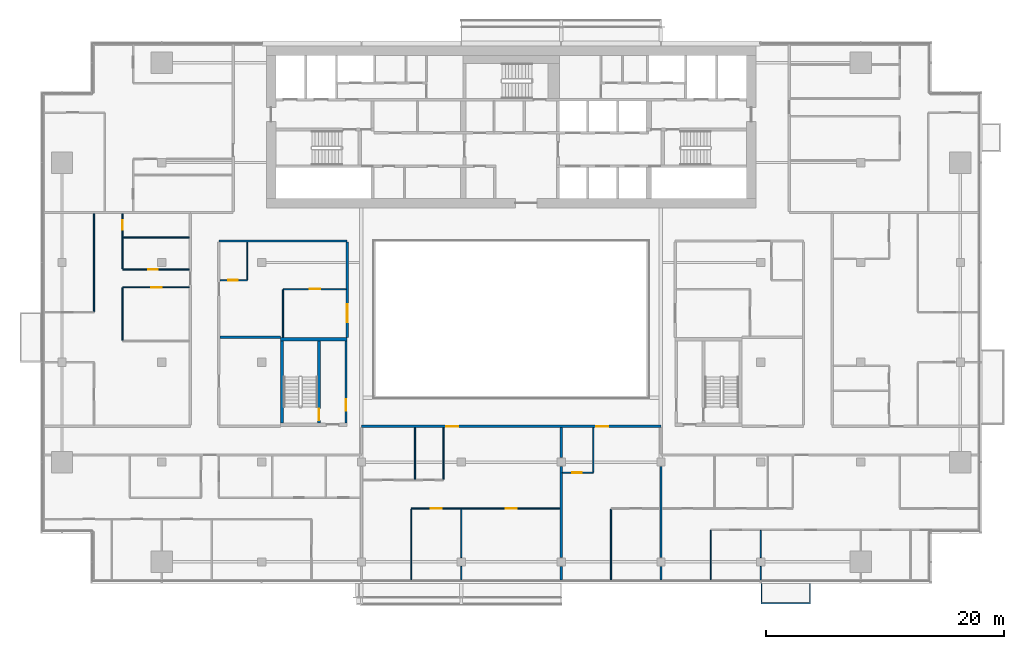
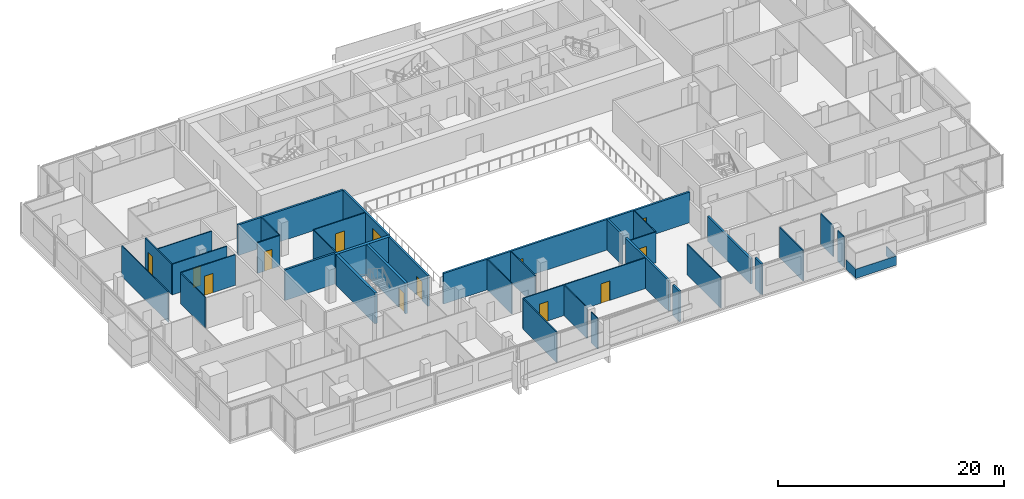
# One storey, part 18 of 27: 36 walls, 12 doors, 1 window, 13 openings.
"""IFC4 building model written with IfcOpenShell, lengths in metres."""

from ifc_helpers import new_model, si_unit, direction, frame, frame_2d, origin, place, context, subcontext, project, spatial, polyline, rectangle, outline, extrude, material, layer, layer_set, type_object, element, fill, save


model = new_model("IFC4")

# Units and contexts
model_context = context("Model", 3, precision=1e-05, world=origin(), true_north=direction((0.0, 1.0)))
body_context = subcontext(model_context, "Body", "Model", "MODEL_VIEW")
ifc_project = project(units=[si_unit("LENGTHUNIT", "METRE"), si_unit("AREAUNIT", "SQUARE_METRE"), si_unit("VOLUMEUNIT", "CUBIC_METRE"), si_unit("PLANEANGLEUNIT", "RADIAN"), si_unit("MASSUNIT", "GRAM", prefix="KILO")], contexts=[model_context])

# Site, building, storey
site_placement = place(None, origin())
site = spatial("IfcSite", under=ifc_project, at=site_placement, CompositionType="ELEMENT")
building_placement = place(site_placement, origin())
building = spatial("IfcBuilding", under=site, at=building_placement, Name="Saffron Gate Tower", CompositionType="ELEMENT")
storey_placement = place(building_placement, frame((0.0, 0.0, 172.64990234375)))
storey = spatial("IfcBuildingStorey", under=building, at=storey_placement, Name="L42", CompositionType="ELEMENT", Elevation=172.64990234375)

# Wall, opening, door
ifc_material_1 = material(Name="Gypsum board partition on steel studs", Category="steel")
ifc_layer_1 = layer(ifc_material_1, 0.199951171875)
ifc_layer_set_1 = layer_set([ifc_layer_1], Name="CW10 Core partition 200")
wall_type_1 = type_object("IfcWallType", Name="CW10 Core partition 200", PredefinedType="PARTITIONING", material=ifc_layer_set_1)
wall_1_placement = place(storey_placement, frame((73.699951171875, 43.5, 0.0), z_axis=(0.0, 0.0, 1.0), x_axis=(0.0, 1.0, 0.0)))
wall_1 = element("IfcWall", 1, at=wall_1_placement, inside=storey, type_object=wall_type_1, Name="Wall CW10-L42-D-4", PredefinedType="PARTITIONING", context=body_context, shape_type="SweptSolid", body=[
    extrude(rectangle(XDim=6.89990234375, YDim=0.199951171875, at=frame_2d((3.449951171875, 0.0))), origin(), (0.0, 0.0, 1.0), 3.320068359375),
])
opening_1_placement = place(wall_1_placement, frame((1.0, 0.0, 0.0)))
opening_1 = element("IfcOpeningElement", 2, at=opening_1_placement, cuts=wall_1, Name="Opening CR-19", PredefinedType="OPENING", context=body_context, shape_type="SweptSolid", body=[
    extrude(rectangle(XDim=1.0, YDim=2.10009765625, at=frame_2d((0.5, 1.050048828125))), frame((0.0, 0.10986328125, 0.0), z_axis=(0.0, -1.0, 0.0), x_axis=(1.0, 0.0, 0.0)), (0.0, 0.0, 1.0), 0.219970703125),
])
ifc_material_2 = material(Name="Steel fire door set", Category="steel")
door_type_1 = type_object("IfcDoorType", Name="CD4 Lobby door 1000x2100 EI 120", OperationType="NOTDEFINED", PredefinedType="DOOR", material=ifc_material_2)
door_1_placement = place(opening_1_placement, origin())
door_1 = element("IfcDoor", 3, at=door_1_placement, inside=storey, type_object=door_type_1, Name="DOOR CR-19", OperationType="SINGLE_SWING_RIGHT", OverallHeight=2.10009765625, OverallWidth=1.0, PredefinedType="DOOR", context=body_context, shape_type="SweptSolid", body=[
    extrude(rectangle(XDim=1.0, YDim=2.10009765625, at=frame_2d((0.5, 1.050048828125))), frame((0.0, 0.02490234375, 0.0), z_axis=(0.0, -1.0, 0.0), x_axis=(1.0, 0.0, 0.0)), (0.0, 0.0, 1.0), 0.050048828125),
])
fill(opening_1, door_1)

# Wall
ifc_material_3 = material(Name="Concrete C60", Category="concrete")
ifc_layer_2 = layer(ifc_material_3, 0.25)
ifc_layer_set_2 = layer_set([ifc_layer_2], Name="CW14 RC core wall 250 C60")
wall_type_2 = type_object("IfcWallType", Name="CW14 RC core wall 250 C60", PredefinedType="SOLIDWALL", material=ifc_layer_set_2)
wall_2_placement = place(storey_placement, frame((68.324951171875, 43.5, 0.0), z_axis=(0.0, 0.0, 1.0), x_axis=(0.0, 1.0, 0.0)))
element("IfcWall", 4, at=wall_2_placement, inside=storey, type_object=wall_type_2, Name="Wall CW14-L42-D-2", PredefinedType="SOLIDWALL", context=body_context, shape_type="SweptSolid", body=[
    extrude(rectangle(XDim=6.89990234375, YDim=0.25, at=frame_2d((3.449951171875, 0.0))), origin(), (0.0, 0.0, 1.0), 3.320068359375),
])

# Wall, opening, door
wall_3_placement = place(storey_placement, frame((71.425048828125, 43.5, 0.0), z_axis=(0.0, 0.0, 1.0), x_axis=(0.0, 1.0, 0.0)))
wall_3 = element("IfcWall", 5, at=wall_3_placement, inside=storey, type_object=wall_type_2, Name="Wall CW14-L42-D-3", PredefinedType="SOLIDWALL", context=body_context, shape_type="SweptSolid", body=[
    extrude(rectangle(XDim=6.89990234375, YDim=0.25, at=frame_2d((3.449951171875, 0.0))), origin(), (0.0, 0.0, 1.0), 3.320068359375),
])
opening_2_placement = place(wall_3_placement, frame((0.199951171875, 0.0, 0.0)))
opening_2 = element("IfcOpeningElement", 6, at=opening_2_placement, cuts=wall_3, Name="Opening CR-20", PredefinedType="OPENING", context=body_context, shape_type="SweptSolid", body=[
    extrude(rectangle(XDim=1.0, YDim=2.10009765625, at=frame_2d((0.5, 1.050048828125))), frame((0.0, 0.135009765625, 0.0), z_axis=(0.0, -1.0, 0.0), x_axis=(1.0, 0.0, 0.0)), (0.0, 0.0, 1.0), 0.27001953125),
])
door_type_2 = type_object("IfcDoorType", Name="CD5 Stair door 1000x2100 EI 120", OperationType="NOTDEFINED", PredefinedType="DOOR", material=ifc_material_2)
door_2_placement = place(opening_2_placement, origin())
door_2 = element("IfcDoor", 7, at=door_2_placement, inside=storey, type_object=door_type_2, Name="DOOR CR-20", OperationType="SINGLE_SWING_LEFT", OverallHeight=2.10009765625, OverallWidth=1.0, PredefinedType="DOOR", context=body_context, shape_type="SweptSolid", body=[
    extrude(rectangle(XDim=1.0, YDim=2.10009765625, at=frame_2d((0.5, 1.050048828125))), frame((0.0, 0.02490234375, 0.0), z_axis=(0.0, -1.0, 0.0), x_axis=(1.0, 0.0, 0.0)), (0.0, 0.0, 1.0), 0.050048828125),
])
fill(opening_2, door_2)

# Wall
ifc_layer_3 = layer(ifc_material_3, 0.300048828125)
ifc_layer_set_3 = layer_set([ifc_layer_3], Name="CW17 RC core wall 300 C60")
wall_type_3 = type_object("IfcWallType", Name="CW17 RC core wall 300 C60", PredefinedType="SOLIDWALL", material=ifc_layer_set_3)
wall_4_placement = place(storey_placement, frame((68.199951171875, 50.550048828125, 0.0), z_axis=(0.0, 0.0, 1.0), x_axis=(1.0, 0.0, 0.0)))
element("IfcWall", 8, at=wall_4_placement, inside=storey, type_object=wall_type_3, Name="Wall CW17-L42-D-5", PredefinedType="SOLIDWALL", context=body_context, shape_type="SweptSolid", body=[
    extrude(rectangle(XDim=5.60009765625, YDim=0.300048828125, at=frame_2d((2.800048828125, 0.0))), origin(), (0.0, 0.0, 1.0), 3.320068359375),
])

# Wall, openings, doors
ifc_material_4 = material(Name="Plasterboard on steel studs", Category="steel")
ifc_layer_4 = layer(ifc_material_4, 0.10009765625)
ifc_layer_set_4 = layer_set([ifc_layer_4], Name="PW1 Partition 100")
wall_type_4 = type_object("IfcWallType", Name="PW1 Partition 100", PredefinedType="PARTITIONING", material=ifc_layer_set_4)
wall_5_placement = place(storey_placement, frame((91.699951171875, 36.300048828125, 0.0), z_axis=(0.0, 0.0, 1.0), x_axis=(-1.0, 0.0, 0.0)))
wall_5 = element("IfcWall", 9, at=wall_5_placement, inside=storey, type_object=wall_type_4, Name="Partition C3-3", PredefinedType="PARTITIONING", context=body_context, shape_type="SweptSolid", body=[
    extrude(rectangle(XDim=12.5, YDim=0.10009765625, at=frame_2d((6.25, 0.0))), origin(), (0.0, 0.0, 1.0), 3.320068359375),
])
opening_3_placement = place(wall_5_placement, frame((3.64990234375, 0.0, 0.0)))
opening_3 = element("IfcOpeningElement", 10, at=opening_3_placement, cuts=wall_5, Name="Opening C3-18", PredefinedType="OPENING", context=body_context, shape_type="SweptSolid", body=[
    extrude(rectangle(XDim=0.89990234375, YDim=2.10009765625, at=frame_2d((0.449951171875, 1.050048828125))), frame((0.0, 0.06005859375, 0.0), z_axis=(0.0, -1.0, 0.0), x_axis=(1.0, 0.0, 0.0)), (0.0, 0.0, 1.0), 0.1201171875),
])
opening_4_placement = place(wall_5_placement, frame((9.949951171875, 0.0, 0.0)))
opening_4 = element("IfcOpeningElement", 11, at=opening_4_placement, cuts=wall_5, Name="Opening C3-17", PredefinedType="OPENING", context=body_context, shape_type="SweptSolid", body=[
    extrude(rectangle(XDim=0.89990234375, YDim=2.10009765625, at=frame_2d((0.449951171875, 1.050048828125))), frame((0.0, 0.06005859375, 0.0), z_axis=(0.0, -1.0, 0.0), x_axis=(1.0, 0.0, 0.0)), (0.0, 0.0, 1.0), 0.1201171875),
])
ifc_material_5 = material(Name="Timber door set", Category="wood")
door_type_3 = type_object("IfcDoorType", Name="RD1 Room door 900x2100", OperationType="NOTDEFINED", PredefinedType="DOOR", material=ifc_material_5)
door_3_placement = place(opening_3_placement, origin())
door_3 = element("IfcDoor", 12, at=door_3_placement, inside=storey, type_object=door_type_3, Name="Door C3-18", OperationType="SINGLE_SWING_LEFT", OverallHeight=2.10009765625, OverallWidth=0.89990234375, PredefinedType="DOOR", context=body_context, shape_type="SweptSolid", body=[
    extrude(rectangle(XDim=0.89990234375, YDim=2.10009765625, at=frame_2d((0.449951171875, 1.050048828125))), frame((0.0, 0.02490234375, 0.0), z_axis=(0.0, -1.0, 0.0), x_axis=(1.0, 0.0, 0.0)), (0.0, 0.0, 1.0), 0.050048828125),
])
fill(opening_3, door_3)
door_4_placement = place(opening_4_placement, origin())
door_4 = element("IfcDoor", 13, at=door_4_placement, inside=storey, type_object=door_type_3, Name="Door C3-17", OperationType="SINGLE_SWING_LEFT", OverallHeight=2.10009765625, OverallWidth=0.89990234375, PredefinedType="DOOR", context=body_context, shape_type="SweptSolid", body=[
    extrude(rectangle(XDim=0.89990234375, YDim=2.10009765625, at=frame_2d((0.449951171875, 1.050048828125))), frame((0.0, 0.02490234375, 0.0), z_axis=(0.0, -1.0, 0.0), x_axis=(1.0, 0.0, 0.0)), (0.0, 0.0, 1.0), 0.050048828125),
])
fill(opening_4, door_4)

# Wall, opening, door
wall_6_placement = place(storey_placement, frame((91.89990234375, 39.300048828125, 0.0), z_axis=(0.0, 0.0, 1.0), x_axis=(1.0, 0.0, 0.0)))
wall_6 = element("IfcWall", 14, at=wall_6_placement, inside=storey, type_object=wall_type_4, Name="Partition C3-8", PredefinedType="PARTITIONING", context=body_context, shape_type="SweptSolid", body=[
    extrude(rectangle(XDim=2.60009765625, YDim=0.10009765625, at=frame_2d((1.300048828125, 0.0))), origin(), (0.0, 0.0, 1.0), 3.320068359375),
])
opening_5_placement = place(wall_6_placement, frame((0.85009765625, 0.0, 0.0)))
opening_5 = element("IfcOpeningElement", 15, at=opening_5_placement, cuts=wall_6, Name="Opening C3-44", PredefinedType="OPENING", context=body_context, shape_type="SweptSolid", body=[
    extrude(rectangle(XDim=0.800048828125, YDim=2.10009765625, at=frame_2d((0.39990234375, 1.050048828125))), frame((0.0, 0.06005859375, 0.0), z_axis=(0.0, -1.0, 0.0), x_axis=(1.0, 0.0, 0.0)), (0.0, 0.0, 1.0), 0.1201171875),
])
door_type_4 = type_object("IfcDoorType", Name="RD2 Bathroom door 800x2100", OperationType="NOTDEFINED", PredefinedType="DOOR", material=ifc_material_5)
door_5_placement = place(opening_5_placement, origin())
door_5 = element("IfcDoor", 16, at=door_5_placement, inside=storey, type_object=door_type_4, Name="Door C3-44", OperationType="SINGLE_SWING_LEFT", OverallHeight=2.10009765625, OverallWidth=0.800048828125, PredefinedType="DOOR", context=body_context, shape_type="SweptSolid", body=[
    extrude(rectangle(XDim=0.800048828125, YDim=2.10009765625, at=frame_2d((0.39990234375, 1.050048828125))), frame((0.0, 0.02490234375, 0.0), z_axis=(0.0, -1.0, 0.0), x_axis=(1.0, 0.0, 0.0)), (0.0, 0.0, 1.0), 0.050048828125),
])
fill(opening_5, door_5)

wall_7_placement = place(storey_placement, frame((73.699951171875, 54.75, 0.0), z_axis=(0.0, 0.0, 1.0), x_axis=(-1.0, 0.0, 0.0)))
wall_7 = element("IfcWall", 17, at=wall_7_placement, inside=storey, type_object=wall_type_4, Name="Partition C3-30", PredefinedType="PARTITIONING", context=body_context, shape_type="SweptSolid", body=[
    extrude(rectangle(XDim=5.300048828125, YDim=0.10009765625, at=frame_2d((2.64990234375, 0.0))), origin(), (0.0, 0.0, 1.0), 3.320068359375),
])
opening_6_placement = place(wall_7_placement, frame((2.14990234375, 0.0, 0.0)))
opening_6 = element("IfcOpeningElement", 18, at=opening_6_placement, cuts=wall_7, Name="Opening C3-38", PredefinedType="OPENING", context=body_context, shape_type="SweptSolid", body=[
    extrude(rectangle(XDim=0.89990234375, YDim=2.10009765625, at=frame_2d((0.449951171875, 1.050048828125))), frame((0.0, 0.06005859375, 0.0), z_axis=(0.0, -1.0, 0.0), x_axis=(1.0, 0.0, 0.0)), (0.0, 0.0, 1.0), 0.1201171875),
])
door_6_placement = place(opening_6_placement, origin())
door_6 = element("IfcDoor", 19, at=door_6_placement, inside=storey, type_object=door_type_3, Name="Door C3-38", OperationType="SINGLE_SWING_LEFT", OverallHeight=2.10009765625, OverallWidth=0.89990234375, PredefinedType="DOOR", context=body_context, shape_type="SweptSolid", body=[
    extrude(rectangle(XDim=0.89990234375, YDim=2.10009765625, at=frame_2d((0.449951171875, 1.050048828125))), frame((0.0, 0.02490234375, 0.0), z_axis=(0.0, -1.0, 0.0), x_axis=(1.0, 0.0, 0.0)), (0.0, 0.0, 1.0), 0.050048828125),
])
fill(opening_6, door_6)

wall_8_placement = place(storey_placement, frame((60.5, 54.89990234375, 0.0), z_axis=(0.0, 0.0, 1.0), x_axis=(-1.0, 0.0, 0.0)))
wall_8 = element("IfcWall", 20, at=wall_8_placement, inside=storey, type_object=wall_type_4, Name="Partition C3-32", PredefinedType="PARTITIONING", context=body_context, shape_type="SweptSolid", body=[
    extrude(rectangle(XDim=5.60009765625, YDim=0.10009765625, at=frame_2d((2.800048828125, 0.0))), origin(), (0.0, 0.0, 1.0), 3.320068359375),
])
opening_7_placement = place(wall_8_placement, frame((2.300048828125, 0.0, 0.0)))
opening_7 = element("IfcOpeningElement", 21, at=opening_7_placement, cuts=wall_8, Name="Opening C3-28", PredefinedType="OPENING", context=body_context, shape_type="SweptSolid", body=[
    extrude(rectangle(XDim=0.89990234375, YDim=2.10009765625, at=frame_2d((0.449951171875, 1.050048828125))), frame((0.0, 0.06005859375, 0.0), z_axis=(0.0, -1.0, 0.0), x_axis=(1.0, 0.0, 0.0)), (0.0, 0.0, 1.0), 0.1201171875),
])
door_7_placement = place(opening_7_placement, origin())
door_7 = element("IfcDoor", 22, at=door_7_placement, inside=storey, type_object=door_type_3, Name="Door C3-28", OperationType="SINGLE_SWING_LEFT", OverallHeight=2.10009765625, OverallWidth=0.89990234375, PredefinedType="DOOR", context=body_context, shape_type="SweptSolid", body=[
    extrude(rectangle(XDim=0.89990234375, YDim=2.10009765625, at=frame_2d((0.449951171875, 1.050048828125))), frame((0.0, 0.02490234375, 0.0), z_axis=(0.0, -1.0, 0.0), x_axis=(1.0, 0.0, 0.0)), (0.0, 0.0, 1.0), 0.050048828125),
])
fill(opening_7, door_7)

wall_9_placement = place(storey_placement, frame((63.10009765625, 55.5, 0.0), z_axis=(0.0, 0.0, 1.0), x_axis=(1.0, 0.0, 0.0)))
wall_9 = element("IfcWall", 23, at=wall_9_placement, inside=storey, type_object=wall_type_4, Name="Partition C3-33", PredefinedType="PARTITIONING", context=body_context, shape_type="SweptSolid", body=[
    extrude(rectangle(XDim=2.2998046875, YDim=0.10009765625, at=frame_2d((1.14990234375, 0.0))), origin(), (0.0, 0.0, 1.0), 3.320068359375),
])
opening_8_placement = place(wall_9_placement, frame((0.699951171875, 0.0, 0.0)))
opening_8 = element("IfcOpeningElement", 24, at=opening_8_placement, cuts=wall_9, Name="Opening C3-53", PredefinedType="OPENING", context=body_context, shape_type="SweptSolid", body=[
    extrude(rectangle(XDim=0.800048828125, YDim=2.10009765625, at=frame_2d((0.39990234375, 1.050048828125))), frame((0.0, 0.06005859375, 0.0), z_axis=(0.0, -1.0, 0.0), x_axis=(1.0, 0.0, 0.0)), (0.0, 0.0, 1.0), 0.1201171875),
])
door_8_placement = place(opening_8_placement, origin())
door_8 = element("IfcDoor", 25, at=door_8_placement, inside=storey, type_object=door_type_4, Name="Door C3-53", OperationType="SINGLE_SWING_LEFT", OverallHeight=2.10009765625, OverallWidth=0.800048828125, PredefinedType="DOOR", context=body_context, shape_type="SweptSolid", body=[
    extrude(rectangle(XDim=0.800048828125, YDim=2.10009765625, at=frame_2d((0.39990234375, 1.050048828125))), frame((0.0, 0.02490234375, 0.0), z_axis=(0.0, -1.0, 0.0), x_axis=(1.0, 0.0, 0.0)), (0.0, 0.0, 1.0), 0.050048828125),
])
fill(opening_8, door_8)

wall_10_placement = place(storey_placement, frame((54.89990234375, 56.39990234375, 0.0), z_axis=(0.0, 0.0, 1.0), x_axis=(1.0, 0.0, 0.0)))
wall_10 = element("IfcWall", 26, at=wall_10_placement, inside=storey, type_object=wall_type_4, Name="Partition C3-35", PredefinedType="PARTITIONING", context=body_context, shape_type="SweptSolid", body=[
    extrude(rectangle(XDim=5.60009765625, YDim=0.10009765625, at=frame_2d((2.800048828125, 0.0))), origin(), (0.0, 0.0, 1.0), 3.320068359375),
])
opening_9_placement = place(wall_10_placement, frame((2.14990234375, 0.0, 0.0)))
opening_9 = element("IfcOpeningElement", 27, at=opening_9_placement, cuts=wall_10, Name="Opening C3-47", PredefinedType="OPENING", context=body_context, shape_type="SweptSolid", body=[
    extrude(rectangle(XDim=0.800048828125, YDim=2.10009765625, at=frame_2d((0.39990234375, 1.050048828125))), frame((0.0, 0.06005859375, 0.0), z_axis=(0.0, -1.0, 0.0), x_axis=(1.0, 0.0, 0.0)), (0.0, 0.0, 1.0), 0.1201171875),
])
door_9_placement = place(opening_9_placement, origin())
door_9 = element("IfcDoor", 28, at=door_9_placement, inside=storey, type_object=door_type_4, Name="Door C3-47", OperationType="SINGLE_SWING_LEFT", OverallHeight=2.10009765625, OverallWidth=0.800048828125, PredefinedType="DOOR", context=body_context, shape_type="SweptSolid", body=[
    extrude(rectangle(XDim=0.800048828125, YDim=2.10009765625, at=frame_2d((0.39990234375, 1.050048828125))), frame((0.0, 0.02490234375, 0.0), z_axis=(0.0, -1.0, 0.0), x_axis=(1.0, 0.0, 0.0)), (0.0, 0.0, 1.0), 0.050048828125),
])
fill(opening_9, door_9)

# Walls
wall_11_placement = place(storey_placement, frame((54.949951171875, 59.10009765625, 0.0), z_axis=(0.0, 0.0, 1.0), x_axis=(1.0, 0.0, 0.0)))
element("IfcWall", 29, at=wall_11_placement, inside=storey, type_object=wall_type_4, Name="Partition C3-40", PredefinedType="PARTITIONING", context=body_context, shape_type="SweptSolid", body=[
    extrude(rectangle(XDim=5.550048828125, YDim=0.10009765625, at=frame_2d((2.77490234375, 0.0))), origin(), (0.0, 0.0, 1.0), 3.320068359375),
])
wall_12_placement = place(storey_placement, frame((52.5, 61.10009765625, 0.0), z_axis=(0.0, 0.0, 1.0), x_axis=(0.0, -1.0, 0.0)))
element("IfcWall", 30, at=wall_12_placement, inside=storey, type_object=wall_type_4, Name="Partition C3-58", PredefinedType="PARTITIONING", context=body_context, shape_type="SweptSolid", body=[
    extrude(rectangle(XDim=8.25, YDim=0.10009765625, at=frame_2d((4.125, 0.0))), origin(), (0.0, 0.0, 1.0), 3.320068359375),
])
wall_13_placement = place(storey_placement, frame((54.89990234375, 54.85009765625, 0.0), z_axis=(0.0, 0.0, 1.0), x_axis=(0.0, -1.0, 0.0)))
element("IfcWall", 31, at=wall_13_placement, inside=storey, type_object=wall_type_4, Name="Partition C3-61", PredefinedType="PARTITIONING", context=body_context, shape_type="SweptSolid", body=[
    extrude(rectangle(XDim=4.406982421875, YDim=0.10009765625, at=frame_2d((2.20361328125, 0.0))), origin(), (0.0, 0.0, 1.0), 3.320068359375),
])

# Wall, opening, door
wall_14_placement = place(storey_placement, frame((54.89990234375, 61.10009765625, 0.0), z_axis=(0.0, 0.0, 1.0), x_axis=(0.0, -1.0, 0.0)))
wall_14 = element("IfcWall", 32, at=wall_14_placement, inside=storey, type_object=wall_type_4, Name="Partition C3-62", PredefinedType="PARTITIONING", context=body_context, shape_type="SweptSolid", body=[
    extrude(rectangle(XDim=4.650146484375, YDim=0.10009765625, at=frame_2d((2.3251953125, 0.0))), origin(), (0.0, 0.0, 1.0), 3.320068359375),
])
opening_10_placement = place(wall_14_placement, frame((0.550048828125, 0.0, 0.0)))
opening_10 = element("IfcOpeningElement", 33, at=opening_10_placement, cuts=wall_14, Name="Opening C3-48", PredefinedType="OPENING", context=body_context, shape_type="SweptSolid", body=[
    extrude(rectangle(XDim=0.800048828125, YDim=2.10009765625, at=frame_2d((0.39990234375, 1.050048828125))), frame((0.0, 0.06005859375, 0.0), z_axis=(0.0, -1.0, 0.0), x_axis=(1.0, 0.0, 0.0)), (0.0, 0.0, 1.0), 0.1201171875),
])
door_10_placement = place(opening_10_placement, origin())
door_10 = element("IfcDoor", 34, at=door_10_placement, inside=storey, type_object=door_type_4, Name="Door C3-48", OperationType="SINGLE_SWING_LEFT", OverallHeight=2.10009765625, OverallWidth=0.800048828125, PredefinedType="DOOR", context=body_context, shape_type="SweptSolid", body=[
    extrude(rectangle(XDim=0.800048828125, YDim=2.10009765625, at=frame_2d((0.39990234375, 1.050048828125))), frame((0.0, 0.02490234375, 0.0), z_axis=(0.0, -1.0, 0.0), x_axis=(1.0, 0.0, 0.0)), (0.0, 0.0, 1.0), 0.050048828125),
])
fill(opening_10, door_10)

# Walls
wall_15_placement = place(storey_placement, frame((65.39990234375, 58.699951171875, 0.0), z_axis=(0.0, 0.0, 1.0), x_axis=(0.0, -1.0, 0.0)))
element("IfcWall", 35, at=wall_15_placement, inside=storey, type_object=wall_type_4, Name="Partition C3-74", PredefinedType="PARTITIONING", context=body_context, shape_type="SweptSolid", body=[
    extrude(rectangle(XDim=3.14990234375, YDim=0.10009765625, at=frame_2d((1.574951171875, 0.0))), origin(), (0.0, 0.0, 1.0), 3.320068359375),
])
wall_16_placement = place(storey_placement, frame((68.39990234375, 54.699951171875, 0.0), z_axis=(0.0, 0.0, 1.0), x_axis=(0.0, -1.0, 0.0)))
element("IfcWall", 36, at=wall_16_placement, inside=storey, type_object=wall_type_4, Name="Partition C3-76", PredefinedType="PARTITIONING", context=body_context, shape_type="SweptSolid", body=[
    extrude(rectangle(XDim=4.0, YDim=0.10009765625, at=frame_2d((2.0, 0.0))), origin(), (0.0, 0.0, 1.0), 3.320068359375),
])
wall_17_placement = place(storey_placement, frame((79.199951171875, 36.25, 0.0), z_axis=(0.0, 0.0, 1.0), x_axis=(0.0, -1.0, 0.0)))
element("IfcWall", 37, at=wall_17_placement, inside=storey, type_object=wall_type_4, Name="Partition C3-83", PredefinedType="PARTITIONING", context=body_context, shape_type="SweptSolid", body=[
    extrude(rectangle(XDim=5.969970703125, YDim=0.10009765625, at=frame_2d((2.98486328125, 0.0))), origin(), (0.0, 0.0, 1.0), 3.320068359375),
])
for number, where, z_axis, x_axis, name in (
    (38, (79.5, 43.10009765625, 0.0), (0.0, 0.0, 1.0), (0.0, -1.0, 0.0), "Partition C3-84"),
    (39, (81.89990234375, 43.10009765625, 0.0), (0.0, 0.0, 1.0), (0.0, -1.0, 0.0), "Partition C3-85"),
):
    element("IfcWall", number, at=place(storey_placement, frame(where, z_axis=z_axis, x_axis=x_axis)), inside=storey, type_object=wall_type_4, Name=name, PredefinedType="PARTITIONING", context=body_context, shape_type="SweptSolid", body=[
        extrude(rectangle(XDim=4.35009765625, YDim=0.10009765625, at=frame_2d((2.175048828125, 0.0))), origin(), (0.0, 0.0, 1.0), 3.320068359375),
    ])
wall_18_placement = place(storey_placement, frame((83.39990234375, 31.429931640625, 0.0), z_axis=(0.0, 0.0, 1.0), x_axis=(0.0, -1.0, 0.0)))
element("IfcWall", 40, at=wall_18_placement, inside=storey, type_object=wall_type_4, Name="Partition C3-86", PredefinedType="PARTITIONING", context=body_context, shape_type="SweptSolid", body=[
    extrude(rectangle(XDim=1.14990234375, YDim=0.10009765625, at=frame_2d((0.574951171875, 0.0))), origin(), (0.0, 0.0, 1.0), 3.320068359375),
])
wall_19_placement = place(storey_placement, frame((83.39990234375, 36.25, 0.0), z_axis=(0.0, 0.0, 1.0), x_axis=(0.0, -1.0, 0.0)))
element("IfcWall", 41, at=wall_19_placement, inside=storey, type_object=wall_type_4, Name="Partition C3-87", PredefinedType="PARTITIONING", context=body_context, shape_type="SweptSolid", body=[
    extrude(rectangle(XDim=4.080078125, YDim=0.10009765625, at=frame_2d((2.0400390625, 0.0))), origin(), (0.0, 0.0, 1.0), 3.320068359375),
])
wall_20_placement = place(storey_placement, frame((94.5, 43.10009765625, 0.0), z_axis=(0.0, 0.0, 1.0), x_axis=(0.0, -1.0, 0.0)))
element("IfcWall", 42, at=wall_20_placement, inside=storey, type_object=wall_type_4, Name="Partition C3-91", PredefinedType="PARTITIONING", context=body_context, shape_type="SweptSolid", body=[
    extrude(rectangle(XDim=3.75, YDim=0.10009765625, at=frame_2d((1.875, 0.0))), origin(), (0.0, 0.0, 1.0), 3.320068359375),
])
wall_21_placement = place(storey_placement, frame((96.0, 36.25, 0.0), z_axis=(0.0, 0.0, 1.0), x_axis=(0.0, -1.0, 0.0)))
element("IfcWall", 43, at=wall_21_placement, inside=storey, type_object=wall_type_4, Name="Partition C3-92", PredefinedType="PARTITIONING", context=body_context, shape_type="SweptSolid", body=[
    extrude(rectangle(XDim=5.969970703125, YDim=0.10009765625, at=frame_2d((2.98486328125, 0.0))), origin(), (0.0, 0.0, 1.0), 3.320068359375),
])
wall_22_placement = place(storey_placement, frame((104.39990234375, 34.449951171875, 0.0), z_axis=(0.0, 0.0, 1.0), x_axis=(0.0, -1.0, 0.0)))
element("IfcWall", 44, at=wall_22_placement, inside=storey, type_object=wall_type_4, Name="Partition C3-97", PredefinedType="PARTITIONING", context=body_context, shape_type="SweptSolid", body=[
    extrude(rectangle(XDim=4.169921875, YDim=0.10009765625, at=frame_2d((2.0849609375, 0.0))), origin(), (0.0, 0.0, 1.0), 3.320068359375),
])
wall_23_placement = place(storey_placement, frame((108.60009765625, 31.429931640625, 0.0), z_axis=(0.0, 0.0, 1.0), x_axis=(0.0, -1.0, 0.0)))
element("IfcWall", 45, at=wall_23_placement, inside=storey, type_object=wall_type_4, Name="Partition C3-100", PredefinedType="PARTITIONING", context=body_context, shape_type="SweptSolid", body=[
    extrude(rectangle(XDim=1.14990234375, YDim=0.10009765625, at=frame_2d((0.574951171875, 0.0))), origin(), (0.0, 0.0, 1.0), 3.320068359375),
])
wall_24_placement = place(storey_placement, frame((108.60009765625, 34.449951171875, 0.0), z_axis=(0.0, 0.0, 1.0), x_axis=(0.0, -1.0, 0.0)))
element("IfcWall", 46, at=wall_24_placement, inside=storey, type_object=wall_type_4, Name="Partition C3-101", PredefinedType="PARTITIONING", context=body_context, shape_type="SweptSolid", body=[
    extrude(rectangle(XDim=2.280029296875, YDim=0.10009765625, at=frame_2d((1.14013671875, 0.0))), origin(), (0.0, 0.0, 1.0), 3.320068359375),
])
ifc_material_6 = material(Name="Clay brick masonry, rendered", Category="masonry")
ifc_layer_5 = layer(ifc_material_6, 0.199951171875)
ifc_layer_set_5 = layer_set([ifc_layer_5], Name="PW2 Demising wall 200")
wall_type_5 = type_object("IfcWallType", Name="PW2 Demising wall 200", PredefinedType="PARTITIONING", material=ifc_layer_set_5)
wall_25_placement = place(storey_placement, frame((63.10009765625, 50.699951171875, 0.0), z_axis=(0.0, 0.0, 1.0), x_axis=(1.0, 0.0, 0.0)))
element("IfcWall", 47, at=wall_25_placement, inside=storey, type_object=wall_type_5, Name="Wall C3-26", PredefinedType="PARTITIONING", context=body_context, shape_type="SweptSolid", body=[
    extrude(rectangle(XDim=5.099853515625, YDim=0.199951171875, at=frame_2d((2.5498046875, 0.0))), origin(), (0.0, 0.0, 1.0), 3.320068359375),
])
wall_26_placement = place(storey_placement, frame((91.800048828125, 31.429931640625, 0.0), z_axis=(0.0, 0.0, 1.0), x_axis=(0.0, -1.0, 0.0)))
element("IfcWall", 48, at=wall_26_placement, inside=storey, type_object=wall_type_5, Name="Wall C3-88", PredefinedType="PARTITIONING", context=body_context, shape_type="SweptSolid", body=[
    extrude(rectangle(XDim=1.14990234375, YDim=0.199951171875, at=frame_2d((0.574951171875, 0.0))), origin(), (0.0, 0.0, 1.0), 3.320068359375),
])
wall_27_placement = place(storey_placement, frame((91.800048828125, 39.830078125, 0.0), z_axis=(0.0, 0.0, 1.0), x_axis=(0.0, -1.0, 0.0)))
element("IfcWall", 49, at=wall_27_placement, inside=storey, type_object=wall_type_5, Name="Wall C3-89", PredefinedType="PARTITIONING", context=body_context, shape_type="SweptSolid", body=[
    extrude(rectangle(XDim=7.66015625, YDim=0.199951171875, at=frame_2d((3.830078125, 0.0))), origin(), (0.0, 0.0, 1.0), 3.320068359375),
])
wall_28_placement = place(storey_placement, frame((91.800048828125, 43.10009765625, 0.0), z_axis=(0.0, 0.0, 1.0), x_axis=(0.0, -1.0, 0.0)))
element("IfcWall", 50, at=wall_28_placement, inside=storey, type_object=wall_type_5, Name="Wall C3-90", PredefinedType="PARTITIONING", context=body_context, shape_type="SweptSolid", body=[
    extrude(rectangle(XDim=2.530029296875, YDim=0.199951171875, at=frame_2d((1.26513671875, 0.0))), origin(), (0.0, 0.0, 1.0), 3.320068359375),
])
wall_29_placement = place(storey_placement, frame((100.199951171875, 31.429931640625, 0.0), z_axis=(0.0, 0.0, 1.0), x_axis=(0.0, -1.0, 0.0)))
element("IfcWall", 51, at=wall_29_placement, inside=storey, type_object=wall_type_5, Name="Wall C3-94", PredefinedType="PARTITIONING", context=body_context, shape_type="SweptSolid", body=[
    extrude(rectangle(XDim=1.14990234375, YDim=0.199951171875, at=frame_2d((0.574951171875, 0.0))), origin(), (0.0, 0.0, 1.0), 3.320068359375),
])
wall_30_placement = place(storey_placement, frame((100.199951171875, 39.830078125, 0.0), z_axis=(0.0, 0.0, 1.0), x_axis=(0.0, -1.0, 0.0)))
element("IfcWall", 52, at=wall_30_placement, inside=storey, type_object=wall_type_5, Name="Wall C3-95", PredefinedType="PARTITIONING", context=body_context, shape_type="SweptSolid", body=[
    extrude(rectangle(XDim=7.66015625, YDim=0.199951171875, at=frame_2d((3.830078125, 0.0))), origin(), (0.0, 0.0, 1.0), 2.72021484375),
])

# Wall, openings, doors
ifc_layer_6 = layer(ifc_material_6, 0.199951171875)
ifc_layer_set_6 = layer_set([ifc_layer_6], Name="PW3 Corridor wall 200")
wall_type_6 = type_object("IfcWallType", Name="PW3 Corridor wall 200", PredefinedType="PARTITIONING", material=ifc_layer_set_6)
wall_31_placement = place(storey_placement, frame((100.199951171875, 43.199951171875, 0.0), z_axis=(0.0, 0.0, 1.0), x_axis=(-1.0, 0.0, 0.0)))
wall_31 = element("IfcWall", 53, at=wall_31_placement, inside=storey, type_object=wall_type_6, Name="Wall C3-15", PredefinedType="PARTITIONING", context=body_context, shape_type="SweptSolid", body=[
    extrude(rectangle(XDim=25.199951171875, YDim=0.199951171875, at=frame_2d((12.60009765625, 0.0))), origin(), (0.0, 0.0, 1.0), 3.320068359375),
])
opening_11_placement = place(wall_31_placement, frame((4.449951171875, 0.0, 0.0)))
opening_11 = element("IfcOpeningElement", 54, at=opening_11_placement, cuts=wall_31, Name="Opening C3-3", PredefinedType="OPENING", context=body_context, shape_type="SweptSolid", body=[
    extrude(rectangle(XDim=1.0, YDim=2.10009765625, at=frame_2d((0.5, 1.050048828125))), frame((0.0, 0.10986328125, 0.0), z_axis=(0.0, -1.0, 0.0), x_axis=(1.0, 0.0, 0.0)), (0.0, 0.0, 1.0), 0.219970703125),
])
opening_12_placement = place(wall_31_placement, frame((17.050048828125, 0.0, 0.0)))
opening_12 = element("IfcOpeningElement", 55, at=opening_12_placement, cuts=wall_31, Name="Opening C3-2", PredefinedType="OPENING", context=body_context, shape_type="SweptSolid", body=[
    extrude(rectangle(XDim=1.0, YDim=2.10009765625, at=frame_2d((0.5, 1.050048828125))), frame((0.0, 0.10986328125, 0.0), z_axis=(0.0, -1.0, 0.0), x_axis=(1.0, 0.0, 0.0)), (0.0, 0.0, 1.0), 0.219970703125),
])
ifc_material_7 = material(Name="Timber fire door set", Category="wood")
door_type_5 = type_object("IfcDoorType", Name="FD1 Flat entry door 1000x2100", OperationType="NOTDEFINED", PredefinedType="DOOR", material=ifc_material_7)
door_11_placement = place(opening_11_placement, origin())
door_11 = element("IfcDoor", 56, at=door_11_placement, inside=storey, type_object=door_type_5, Name="Door C3-3", OperationType="SINGLE_SWING_RIGHT", OverallHeight=2.10009765625, OverallWidth=1.0, PredefinedType="DOOR", context=body_context, shape_type="SweptSolid", body=[
    extrude(rectangle(XDim=1.0, YDim=2.10009765625, at=frame_2d((0.5, 1.050048828125))), frame((0.0, 0.02490234375, 0.0), z_axis=(0.0, -1.0, 0.0), x_axis=(1.0, 0.0, 0.0)), (0.0, 0.0, 1.0), 0.050048828125),
])
fill(opening_11, door_11)
door_12_placement = place(opening_12_placement, origin())
door_12 = element("IfcDoor", 57, at=door_12_placement, inside=storey, type_object=door_type_5, Name="Door C3-2", OperationType="SINGLE_SWING_RIGHT", OverallHeight=2.10009765625, OverallWidth=1.0, PredefinedType="DOOR", context=body_context, shape_type="SweptSolid", body=[
    extrude(rectangle(XDim=1.0, YDim=2.10009765625, at=frame_2d((0.5, 1.050048828125))), frame((0.0, 0.02490234375, 0.0), z_axis=(0.0, -1.0, 0.0), x_axis=(1.0, 0.0, 0.0)), (0.0, 0.0, 1.0), 0.050048828125),
])
fill(opening_12, door_12)

# Wall
wall_32_placement = place(storey_placement, frame((63.0, 58.800048828125, 0.0), z_axis=(0.0, 0.0, 1.0), x_axis=(1.0, 0.0, 0.0)))
element("IfcWall", 58, at=wall_32_placement, inside=storey, type_object=wall_type_6, Name="Wall C3-38", PredefinedType="PARTITIONING", context=body_context, shape_type="SweptSolid", body=[
    extrude(rectangle(XDim=10.800048828125, YDim=0.199951171875, at=frame_2d((5.39990234375, 0.0))), origin(), (0.0, 0.0, 1.0), 3.320068359375),
])

# Wall, opening, window
wall_33_placement = place(storey_placement, frame((73.800048828125, 58.699951171875, 0.0), z_axis=(0.0, 0.0, 1.0), x_axis=(0.0, -1.0, 0.0)))
wall_33 = element("IfcWall", 59, at=wall_33_placement, inside=storey, type_object=wall_type_6, Name="Wall C3-79", PredefinedType="PARTITIONING", context=body_context, shape_type="SweptSolid", body=[
    extrude(rectangle(XDim=8.0, YDim=0.199951171875, at=frame_2d((4.0, 0.0))), origin(), (0.0, 0.0, 1.0), 3.320068359375),
])
opening_13_placement = place(wall_33_placement, frame((5.22509765625, 0.0, 0.89990234375)))
opening_13 = element("IfcOpeningElement", 60, at=opening_13_placement, cuts=wall_33, Name="Opening GW1", PredefinedType="OPENING", context=body_context, shape_type="SweptSolid", body=[
    extrude(rectangle(XDim=1.5, YDim=1.5, at=frame_2d((0.75, 0.75))), frame((0.0, 0.10986328125, 0.0), z_axis=(0.0, -1.0, 0.0), x_axis=(1.0, 0.0, 0.0)), (0.0, 0.0, 1.0), 0.219970703125),
])
ifc_material_8 = material(Name="Fire-resisting laminated glass in steel frame", Category="steel")
ifc_layer_7 = layer(ifc_material_8, 0.06005859375)
ifc_layer_set_7 = layer_set([ifc_layer_7], Name="GW1 Gallery window 1500x1500")
window_type = type_object("IfcWindowType", Name="GW1 Gallery window 1500x1500", PartitioningType="SINGLE_PANEL", PredefinedType="WINDOW", material=ifc_layer_set_7)
window_placement = place(opening_13_placement, origin())
window = element("IfcWindow", 61, at=window_placement, inside=storey, type_object=window_type, Name="GW1 window C3-J-B1", OverallHeight=1.5, OverallWidth=1.5, PartitioningType="SINGLE_PANEL", PredefinedType="WINDOW", context=body_context, shape_type="SweptSolid", body=[
    extrude(rectangle(XDim=1.5, YDim=1.5, at=frame_2d((0.75, 0.75))), frame((0.0, 0.030029296875, 0.0), z_axis=(0.0, -1.0, 0.0), x_axis=(1.0, 0.0, 0.0)), (0.0, 0.0, 1.0), 0.06005859375),
])
fill(opening_13, window)

# Wall
ifc_material_9 = material(Name="Rendered insulated panel, white")
ifc_layer_8 = layer(ifc_material_9, 0.10009765625)
ifc_layer_set_8 = layer_set([ifc_layer_8], Name="WB3 box parapet white")
wall_type_7 = type_object("IfcWallType", Name="WB3 box parapet white", PredefinedType="SOLIDWALL", material=ifc_layer_set_8)
wall_34_placement = place(storey_placement, origin())
element("IfcWall", 62, at=wall_34_placement, inside=storey, type_object=wall_type_7, Name="WINDOW BOX parapet", PredefinedType="SOLIDWALL", context=body_context, shape_type="SweptSolid", body=[
    extrude(outline(polyline([(108.60009765625, 30.0), (108.699951171875, 30.0), (108.699951171875, 28.366943359375), (112.699951171875, 28.366943359375), (112.699951171875, 30.0), (112.800048828125, 30.0), (112.800048828125, 28.26708984375), (108.60009765625, 28.26708984375), (108.60009765625, 30.0)])), origin(), (0.0, 0.0, 1.0), 1.0),
])

save(model, "model.ifc")
